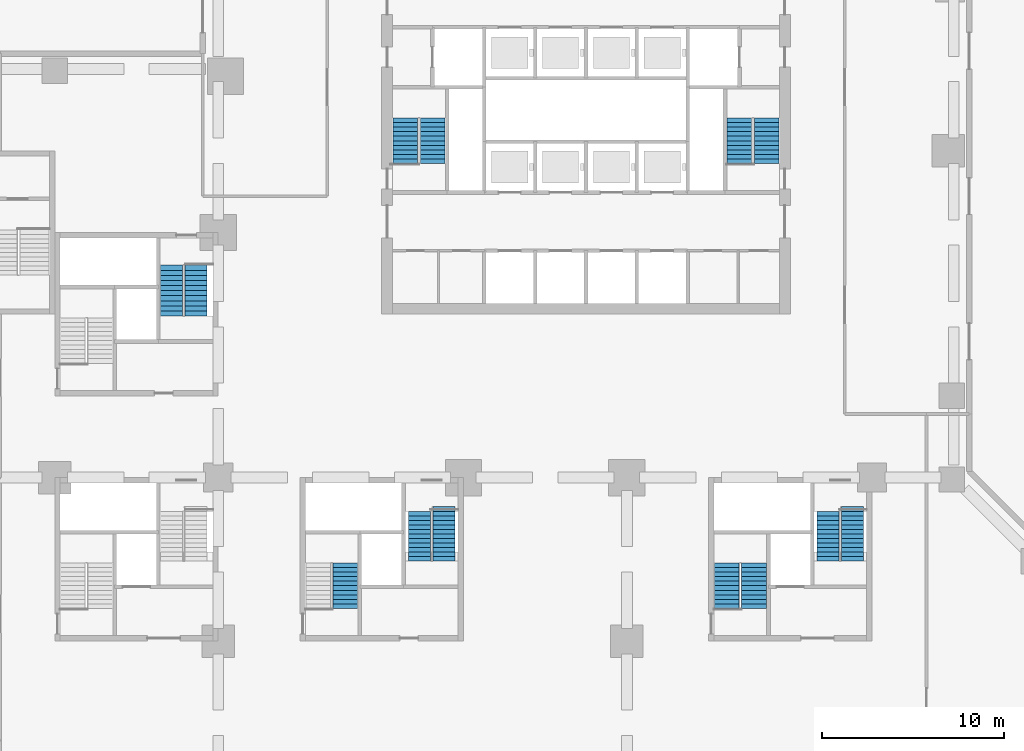
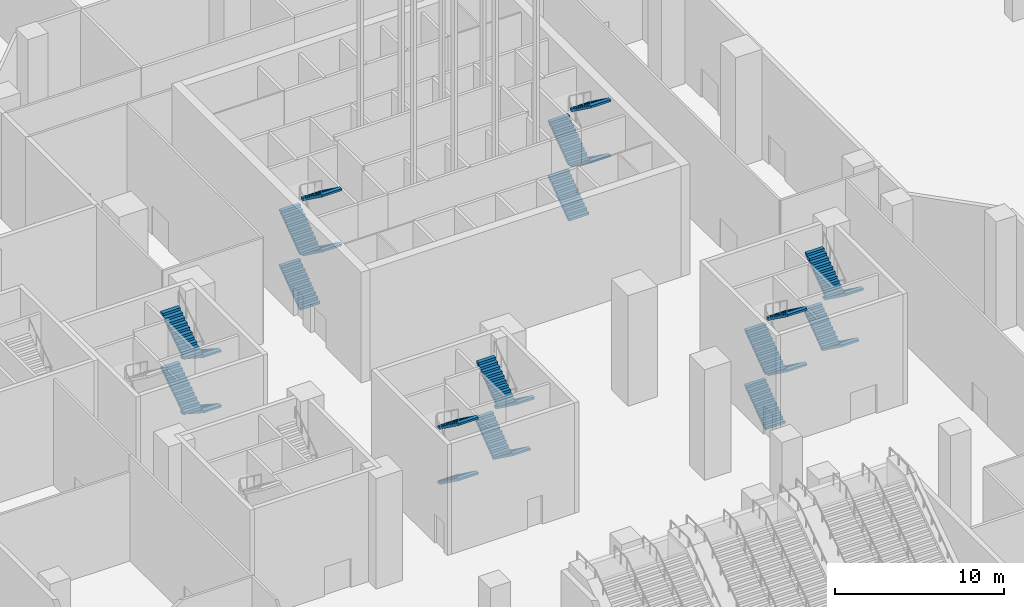
# One storey, part 20 of 32: 26 stair flights, 7 elements without a shape of their own.
"""IFC4 building model written with IfcOpenShell, lengths in metres."""

from ifc_helpers import new_model, si_unit, direction, frame, origin, place, context, subcontext, project, spatial, polyline, outline, extrude, material, type_object, element, aggregate, save


model = new_model("IFC4")

# Units and contexts
model_context = context("Model", 3, precision=1e-05, world=origin(), true_north=direction((0.0, 1.0)))
body_context = subcontext(model_context, "Body", "Model", "MODEL_VIEW")
ifc_project = project(units=[si_unit("LENGTHUNIT", "METRE"), si_unit("AREAUNIT", "SQUARE_METRE"), si_unit("VOLUMEUNIT", "CUBIC_METRE"), si_unit("PLANEANGLEUNIT", "RADIAN"), si_unit("MASSUNIT", "GRAM", prefix="KILO")], contexts=[model_context])

# Site, building, storey
site_placement = place(None, origin())
site = spatial("IfcSite", under=ifc_project, at=site_placement, CompositionType="ELEMENT")
building_placement = place(site_placement, origin())
building = spatial("IfcBuilding", under=site, at=building_placement, Name="Quoin Convention Tower", CompositionType="ELEMENT")
storey_placement = place(building_placement, origin())
storey = spatial("IfcBuildingStorey", under=building, at=storey_placement, Name="L00", CompositionType="ELEMENT", Elevation=0.0)

# Stair, stair flights
ifc_material = material(Name="Concrete C40", Category="concrete")
stair_type_1 = type_object("IfcStairType", Name="Exit stair four-flight 1200", PredefinedType="DOUBLE_RETURN_STAIR", material=ifc_material)
stair_1_placement = place(storey_placement, origin())
stair_1 = element("IfcStair", 1, at=stair_1_placement, inside=storey, type_object=stair_type_1, Name="SD4 L00", PredefinedType="DOUBLE_RETURN_STAIR")
stair_flight_type_1 = type_object("IfcStairFlightType", Name="Stair flight 1200", PredefinedType="STRAIGHT", material=ifc_material)
stair_flight_1_placement = place(storey_placement, frame((34.77490234375, 52.199951171875, 0.0), z_axis=(0.0, 0.0, 1.0), x_axis=(0.0, -1.0, 0.0)))
stair_flight_1 = element("IfcStairFlight", 2, at=stair_flight_1_placement, type_object=stair_flight_type_1, Name="ST4 flight 1", NumberOfRisers=11, NumberOfTreads=10, PredefinedType="STRAIGHT", RiserHeight=0.181818182, TreadLength=0.28, context=body_context, shape_type="SweptSolid", body=[
    extrude(outline(polyline([(0.0, 0.0), (0.0, 0.181884765625), (0.280029296875, 0.181884765625), (0.280029296875, 0.363525390625), (0.56005859375, 0.363525390625), (0.56005859375, 0.54541015625), (0.840087890625, 0.54541015625), (0.840087890625, 0.727294921875), (1.1201171875, 0.727294921875), (1.1201171875, 0.9091796875), (1.39990234375, 0.9091796875), (1.39990234375, 1.0908203125), (1.679931640625, 1.0908203125), (1.679931640625, 1.272705078125), (1.9599609375, 1.272705078125), (1.9599609375, 1.45458984375), (2.239990234375, 1.45458984375), (2.239990234375, 1.636474609375), (2.52001953125, 1.636474609375), (2.52001953125, 1.818115234375), (2.800048828125, 1.818115234375), (2.800048828125, 2.0), (2.800048828125, 1.675048828125), (0.220458984375, 0.0), (0.0, 0.0)])), frame((0.0, 0.60009765625, 0.0), z_axis=(0.0, -1.0, 0.0), x_axis=(1.0, 0.0, 0.0)), (0.0, 0.0, 1.0), 1.199951171875),
])
stair_flight_2_placement = place(storey_placement, frame((33.425048828125, 49.39990234375, 2.0), z_axis=(0.0, 0.0, 1.0), x_axis=(0.0, 1.0, 0.0)))
stair_flight_2 = element("IfcStairFlight", 3, at=stair_flight_2_placement, type_object=stair_flight_type_1, Name="ST4 flight 2", NumberOfRisers=11, NumberOfTreads=10, PredefinedType="STRAIGHT", RiserHeight=0.181818182, TreadLength=0.28, context=body_context, shape_type="SweptSolid", body=[
    extrude(outline(polyline([(0.0, 0.0), (0.0, 0.181884765625), (0.280029296875, 0.181884765625), (0.280029296875, 0.363525390625), (0.56005859375, 0.363525390625), (0.56005859375, 0.54541015625), (0.840087890625, 0.54541015625), (0.840087890625, 0.727294921875), (1.1201171875, 0.727294921875), (1.1201171875, 0.9091796875), (1.39990234375, 0.9091796875), (1.39990234375, 1.0908203125), (1.679931640625, 1.0908203125), (1.679931640625, 1.272705078125), (1.9599609375, 1.272705078125), (1.9599609375, 1.45458984375), (2.239990234375, 1.45458984375), (2.239990234375, 1.636474609375), (2.52001953125, 1.636474609375), (2.52001953125, 1.818115234375), (2.800048828125, 1.818115234375), (2.800048828125, 2.0), (2.800048828125, 1.675048828125), (0.220458984375, 0.0), (0.0, 0.0)])), frame((0.0, 0.60009765625, 0.0), z_axis=(0.0, -1.0, 0.0), x_axis=(1.0, 0.0, 0.0)), (0.0, 0.0, 1.0), 1.199951171875),
])
stair_flight_3_placement = place(storey_placement, frame((34.77490234375, 52.199951171875, 4.0), z_axis=(0.0, 0.0, 1.0), x_axis=(0.0, -1.0, 0.0)))
stair_flight_3 = element("IfcStairFlight", 4, at=stair_flight_3_placement, type_object=stair_flight_type_1, Name="ST4 flight 3", NumberOfRisers=11, NumberOfTreads=10, PredefinedType="STRAIGHT", RiserHeight=0.181818182, TreadLength=0.28, context=body_context, shape_type="SweptSolid", body=[
    extrude(outline(polyline([(0.0, 0.0), (0.0, 0.181884765625), (0.280029296875, 0.181884765625), (0.280029296875, 0.363525390625), (0.56005859375, 0.363525390625), (0.56005859375, 0.54541015625), (0.840087890625, 0.54541015625), (0.840087890625, 0.727294921875), (1.1201171875, 0.727294921875), (1.1201171875, 0.9091796875), (1.39990234375, 0.9091796875), (1.39990234375, 1.0908203125), (1.679931640625, 1.0908203125), (1.679931640625, 1.272705078125), (1.9599609375, 1.272705078125), (1.9599609375, 1.45458984375), (2.239990234375, 1.45458984375), (2.239990234375, 1.636474609375), (2.52001953125, 1.636474609375), (2.52001953125, 1.818115234375), (2.800048828125, 1.818115234375), (2.800048828125, 2.0), (2.800048828125, 1.675048828125), (0.220458984375, 0.0), (0.0, 0.0)])), frame((0.0, 0.60009765625, 0.0), z_axis=(0.0, -1.0, 0.0), x_axis=(1.0, 0.0, 0.0)), (0.0, 0.0, 1.0), 1.199951171875),
])
stair_flight_4_placement = place(storey_placement, frame((33.425048828125, 49.39990234375, 6.0), z_axis=(0.0, 0.0, 1.0), x_axis=(0.0, 1.0, 0.0)))
stair_flight_4 = element("IfcStairFlight", 5, at=stair_flight_4_placement, type_object=stair_flight_type_1, Name="ST4 flight 4", NumberOfRisers=11, NumberOfTreads=10, PredefinedType="STRAIGHT", RiserHeight=0.181818182, TreadLength=0.28, context=body_context, shape_type="SweptSolid", body=[
    extrude(outline(polyline([(0.0, 0.0), (0.0, 0.181884765625), (0.280029296875, 0.181884765625), (0.280029296875, 0.363525390625), (0.56005859375, 0.363525390625), (0.56005859375, 0.54541015625), (0.840087890625, 0.54541015625), (0.840087890625, 0.727294921875), (1.1201171875, 0.727294921875), (1.1201171875, 0.9091796875), (1.39990234375, 0.9091796875), (1.39990234375, 1.0908203125), (1.679931640625, 1.0908203125), (1.679931640625, 1.272705078125), (1.9599609375, 1.272705078125), (1.9599609375, 1.45458984375), (2.239990234375, 1.45458984375), (2.239990234375, 1.636474609375), (2.52001953125, 1.636474609375), (2.52001953125, 1.818115234375), (2.800048828125, 1.818115234375), (2.800048828125, 2.0), (2.800048828125, 1.675048828125), (0.220458984375, 0.0), (0.0, 0.0)])), frame((0.0, 0.60009765625, 0.0), z_axis=(0.0, -1.0, 0.0), x_axis=(1.0, 0.0, 0.0)), (0.0, 0.0, 1.0), 1.199951171875),
])
aggregate(stair_1, [stair_flight_1, stair_flight_2, stair_flight_3, stair_flight_4])

stair_2_placement = place(storey_placement, origin())
stair_2 = element("IfcStair", 6, at=stair_2_placement, inside=storey, type_object=stair_type_1, Name="SD6 L00", PredefinedType="DOUBLE_RETURN_STAIR")
stair_flight_5_placement = place(storey_placement, frame((48.425048828125, 38.89990234375, 0.0), z_axis=(0.0, 0.0, 1.0), x_axis=(0.0, -1.0, 0.0)))
stair_flight_5 = element("IfcStairFlight", 7, at=stair_flight_5_placement, type_object=stair_flight_type_1, Name="ST6 flight 1", NumberOfRisers=11, NumberOfTreads=10, PredefinedType="STRAIGHT", RiserHeight=0.181818182, TreadLength=0.25, context=body_context, shape_type="SweptSolid", body=[
    extrude(outline(polyline([(0.0, 0.0), (0.0, 0.181884765625), (0.25, 0.181884765625), (0.25, 0.363525390625), (0.5, 0.363525390625), (0.5, 0.54541015625), (0.75, 0.54541015625), (0.75, 0.727294921875), (1.0, 0.727294921875), (1.0, 0.9091796875), (1.25, 0.9091796875), (1.25, 1.0908203125), (1.5, 1.0908203125), (1.5, 1.272705078125), (1.75, 1.272705078125), (1.75, 1.45458984375), (2.0, 1.45458984375), (2.0, 1.636474609375), (2.25, 1.636474609375), (2.25, 1.818115234375), (2.5, 1.818115234375), (2.5, 2.0), (2.5, 1.669677734375), (0.2041015625, 0.0), (0.0, 0.0)])), frame((0.0, 0.60009765625, 0.0), z_axis=(0.0, -1.0, 0.0), x_axis=(1.0, 0.0, 0.0)), (0.0, 0.0, 1.0), 1.199951171875),
])
stair_flight_6_placement = place(storey_placement, frame((47.074951171875, 36.39990234375, 2.0), z_axis=(0.0, 0.0, 1.0), x_axis=(0.0, 1.0, 0.0)))
stair_flight_6 = element("IfcStairFlight", 8, at=stair_flight_6_placement, type_object=stair_flight_type_1, Name="ST6 flight 2", NumberOfRisers=10, NumberOfTreads=9, PredefinedType="STRAIGHT", RiserHeight=0.181818182, TreadLength=0.25, context=body_context, shape_type="SweptSolid", body=[
    extrude(outline(polyline([(0.0, 0.0), (0.0, 0.181884765625), (0.25, 0.181884765625), (0.25, 0.363525390625), (0.5, 0.363525390625), (0.5, 0.54541015625), (0.75, 0.54541015625), (0.75, 0.727294921875), (1.0, 0.727294921875), (1.0, 0.9091796875), (1.25, 0.9091796875), (1.25, 1.0908203125), (1.5, 1.0908203125), (1.5, 1.272705078125), (1.75, 1.272705078125), (1.75, 1.45458984375), (2.0, 1.45458984375), (2.0, 1.636474609375), (2.25, 1.636474609375), (2.25, 1.818115234375), (2.25, 1.48779296875), (0.2041015625, 0.0), (0.0, 0.0)])), frame((0.0, 0.60009765625, 0.0), z_axis=(0.0, -1.0, 0.0), x_axis=(1.0, 0.0, 0.0)), (0.0, 0.0, 1.0), 1.199951171875),
])
stair_flight_7_placement = place(storey_placement, frame((48.425048828125, 38.64990234375, 3.818115234375), z_axis=(0.0, 0.0, 1.0), x_axis=(0.0, -1.0, 0.0)))
stair_flight_7 = element("IfcStairFlight", 9, at=stair_flight_7_placement, type_object=stair_flight_type_1, Name="ST6 flight 3", NumberOfRisers=12, NumberOfTreads=11, PredefinedType="STRAIGHT", RiserHeight=0.181818182, TreadLength=0.25, context=body_context, shape_type="SweptSolid", body=[
    extrude(outline(polyline([(0.0, 0.0), (0.0, 0.181884765625), (0.25, 0.181884765625), (0.25, 0.363525390625), (0.5, 0.363525390625), (0.5, 0.54541015625), (0.75, 0.54541015625), (0.75, 0.727294921875), (1.0, 0.727294921875), (1.0, 0.9091796875), (1.25, 0.9091796875), (1.25, 1.0908203125), (1.5, 1.0908203125), (1.5, 1.272705078125), (1.75, 1.272705078125), (1.75, 1.45458984375), (2.0, 1.45458984375), (2.0, 1.636474609375), (2.25, 1.636474609375), (2.25, 1.818115234375), (2.5, 1.818115234375), (2.5, 2.0), (2.75, 2.0), (2.75, 2.181884765625), (2.75, 1.8515625), (0.2041015625, 0.0), (0.0, 0.0)])), frame((0.0, 0.60009765625, 0.0), z_axis=(0.0, -1.0, 0.0), x_axis=(1.0, 0.0, 0.0)), (0.0, 0.0, 1.0), 1.199951171875),
])
stair_flight_8_placement = place(storey_placement, frame((47.074951171875, 35.89990234375, 6.0), z_axis=(0.0, 0.0, 1.0), x_axis=(0.0, 1.0, 0.0)))
stair_flight_8 = element("IfcStairFlight", 10, at=stair_flight_8_placement, type_object=stair_flight_type_1, Name="ST6 flight 4", NumberOfRisers=11, NumberOfTreads=10, PredefinedType="STRAIGHT", RiserHeight=0.181818182, TreadLength=0.25, context=body_context, shape_type="SweptSolid", body=[
    extrude(outline(polyline([(0.0, 0.0), (0.0, 0.181884765625), (0.25, 0.181884765625), (0.25, 0.363525390625), (0.5, 0.363525390625), (0.5, 0.54541015625), (0.75, 0.54541015625), (0.75, 0.727294921875), (1.0, 0.727294921875), (1.0, 0.9091796875), (1.25, 0.9091796875), (1.25, 1.0908203125), (1.5, 1.0908203125), (1.5, 1.272705078125), (1.75, 1.272705078125), (1.75, 1.45458984375), (2.0, 1.45458984375), (2.0, 1.636474609375), (2.25, 1.636474609375), (2.25, 1.818115234375), (2.5, 1.818115234375), (2.5, 2.0), (2.5, 1.669677734375), (0.2041015625, 0.0), (0.0, 0.0)])), frame((0.0, 0.60009765625, 0.0), z_axis=(0.0, -1.0, 0.0), x_axis=(1.0, 0.0, 0.0)), (0.0, 0.0, 1.0), 1.199951171875),
])
aggregate(stair_2, [stair_flight_5, stair_flight_6, stair_flight_7, stair_flight_8])

stair_3_placement = place(storey_placement, origin())
stair_3 = element("IfcStair", 11, at=stair_3_placement, inside=storey, type_object=stair_type_1, Name="SD10 L00", PredefinedType="DOUBLE_RETURN_STAIR")
stair_flight_9_placement = place(storey_placement, frame((70.925048828125, 38.89990234375, 0.0), z_axis=(0.0, 0.0, 1.0), x_axis=(0.0, -1.0, 0.0)))
stair_flight_9 = element("IfcStairFlight", 12, at=stair_flight_9_placement, type_object=stair_flight_type_1, Name="ST10 flight 1", NumberOfRisers=11, NumberOfTreads=10, PredefinedType="STRAIGHT", RiserHeight=0.181818182, TreadLength=0.25, context=body_context, shape_type="SweptSolid", body=[
    extrude(outline(polyline([(0.0, 0.0), (0.0, 0.181884765625), (0.25, 0.181884765625), (0.25, 0.363525390625), (0.5, 0.363525390625), (0.5, 0.54541015625), (0.75, 0.54541015625), (0.75, 0.727294921875), (1.0, 0.727294921875), (1.0, 0.9091796875), (1.25, 0.9091796875), (1.25, 1.0908203125), (1.5, 1.0908203125), (1.5, 1.272705078125), (1.75, 1.272705078125), (1.75, 1.45458984375), (2.0, 1.45458984375), (2.0, 1.636474609375), (2.25, 1.636474609375), (2.25, 1.818115234375), (2.5, 1.818115234375), (2.5, 2.0), (2.5, 1.669677734375), (0.2041015625, 0.0), (0.0, 0.0)])), frame((0.0, 0.60009765625, 0.0), z_axis=(0.0, -1.0, 0.0), x_axis=(1.0, 0.0, 0.0)), (0.0, 0.0, 1.0), 1.199951171875),
])
stair_flight_10_placement = place(storey_placement, frame((69.574951171875, 36.39990234375, 2.0), z_axis=(0.0, 0.0, 1.0), x_axis=(0.0, 1.0, 0.0)))
stair_flight_10 = element("IfcStairFlight", 13, at=stair_flight_10_placement, type_object=stair_flight_type_1, Name="ST10 flight 2", NumberOfRisers=10, NumberOfTreads=9, PredefinedType="STRAIGHT", RiserHeight=0.181818182, TreadLength=0.25, context=body_context, shape_type="SweptSolid", body=[
    extrude(outline(polyline([(0.0, 0.0), (0.0, 0.181884765625), (0.25, 0.181884765625), (0.25, 0.363525390625), (0.5, 0.363525390625), (0.5, 0.54541015625), (0.75, 0.54541015625), (0.75, 0.727294921875), (1.0, 0.727294921875), (1.0, 0.9091796875), (1.25, 0.9091796875), (1.25, 1.0908203125), (1.5, 1.0908203125), (1.5, 1.272705078125), (1.75, 1.272705078125), (1.75, 1.45458984375), (2.0, 1.45458984375), (2.0, 1.636474609375), (2.25, 1.636474609375), (2.25, 1.818115234375), (2.25, 1.48779296875), (0.2041015625, 0.0), (0.0, 0.0)])), frame((0.0, 0.60009765625, 0.0), z_axis=(0.0, -1.0, 0.0), x_axis=(1.0, 0.0, 0.0)), (0.0, 0.0, 1.0), 1.199951171875),
])
stair_flight_11_placement = place(storey_placement, frame((70.925048828125, 38.64990234375, 3.818115234375), z_axis=(0.0, 0.0, 1.0), x_axis=(0.0, -1.0, 0.0)))
stair_flight_11 = element("IfcStairFlight", 14, at=stair_flight_11_placement, type_object=stair_flight_type_1, Name="ST10 flight 3", NumberOfRisers=12, NumberOfTreads=11, PredefinedType="STRAIGHT", RiserHeight=0.181818182, TreadLength=0.25, context=body_context, shape_type="SweptSolid", body=[
    extrude(outline(polyline([(0.0, 0.0), (0.0, 0.181884765625), (0.25, 0.181884765625), (0.25, 0.363525390625), (0.5, 0.363525390625), (0.5, 0.54541015625), (0.75, 0.54541015625), (0.75, 0.727294921875), (1.0, 0.727294921875), (1.0, 0.9091796875), (1.25, 0.9091796875), (1.25, 1.0908203125), (1.5, 1.0908203125), (1.5, 1.272705078125), (1.75, 1.272705078125), (1.75, 1.45458984375), (2.0, 1.45458984375), (2.0, 1.636474609375), (2.25, 1.636474609375), (2.25, 1.818115234375), (2.5, 1.818115234375), (2.5, 2.0), (2.75, 2.0), (2.75, 2.181884765625), (2.75, 1.8515625), (0.2041015625, 0.0), (0.0, 0.0)])), frame((0.0, 0.60009765625, 0.0), z_axis=(0.0, -1.0, 0.0), x_axis=(1.0, 0.0, 0.0)), (0.0, 0.0, 1.0), 1.199951171875),
])
stair_flight_12_placement = place(storey_placement, frame((69.574951171875, 35.89990234375, 6.0), z_axis=(0.0, 0.0, 1.0), x_axis=(0.0, 1.0, 0.0)))
stair_flight_12 = element("IfcStairFlight", 15, at=stair_flight_12_placement, type_object=stair_flight_type_1, Name="ST10 flight 4", NumberOfRisers=11, NumberOfTreads=10, PredefinedType="STRAIGHT", RiserHeight=0.181818182, TreadLength=0.25, context=body_context, shape_type="SweptSolid", body=[
    extrude(outline(polyline([(0.0, 0.0), (0.0, 0.181884765625), (0.25, 0.181884765625), (0.25, 0.363525390625), (0.5, 0.363525390625), (0.5, 0.54541015625), (0.75, 0.54541015625), (0.75, 0.727294921875), (1.0, 0.727294921875), (1.0, 0.9091796875), (1.25, 0.9091796875), (1.25, 1.0908203125), (1.5, 1.0908203125), (1.5, 1.272705078125), (1.75, 1.272705078125), (1.75, 1.45458984375), (2.0, 1.45458984375), (2.0, 1.636474609375), (2.25, 1.636474609375), (2.25, 1.818115234375), (2.5, 1.818115234375), (2.5, 2.0), (2.5, 1.669677734375), (0.2041015625, 0.0), (0.0, 0.0)])), frame((0.0, 0.60009765625, 0.0), z_axis=(0.0, -1.0, 0.0), x_axis=(1.0, 0.0, 0.0)), (0.0, 0.0, 1.0), 1.199951171875),
])
aggregate(stair_3, [stair_flight_9, stair_flight_10, stair_flight_11, stair_flight_12])

stair_type_2 = type_object("IfcStairType", Name="Exit stair four-flight 1350", PredefinedType="DOUBLE_RETURN_STAIR", material=ifc_material)
stair_4_placement = place(storey_placement, origin())
stair_4 = element("IfcStair", 16, at=stair_4_placement, inside=storey, type_object=stair_type_2, Name="SD1 L00", PredefinedType="DOUBLE_RETURN_STAIR")
stair_flight_type_2 = type_object("IfcStairFlightType", Name="Stair flight 1350", PredefinedType="STRAIGHT", material=ifc_material)
stair_flight_13_placement = place(storey_placement, frame((46.300048828125, 57.800048828125, 0.0), z_axis=(0.0, 0.0, 1.0), x_axis=(0.0, 1.0, 0.0)))
stair_flight_13 = element("IfcStairFlight", 17, at=stair_flight_13_placement, type_object=stair_flight_type_2, Name="ST1 flight 1", NumberOfRisers=11, NumberOfTreads=10, PredefinedType="STRAIGHT", RiserHeight=0.181818182, TreadLength=0.25, context=body_context, shape_type="SweptSolid", body=[
    extrude(outline(polyline([(0.0, 0.0), (0.0, 0.181884765625), (0.25, 0.181884765625), (0.25, 0.363525390625), (0.5, 0.363525390625), (0.5, 0.54541015625), (0.75, 0.54541015625), (0.75, 0.727294921875), (1.0, 0.727294921875), (1.0, 0.9091796875), (1.25, 0.9091796875), (1.25, 1.0908203125), (1.5, 1.0908203125), (1.5, 1.272705078125), (1.75, 1.272705078125), (1.75, 1.45458984375), (2.0, 1.45458984375), (2.0, 1.636474609375), (2.25, 1.636474609375), (2.25, 1.818115234375), (2.5, 1.818115234375), (2.5, 2.0), (2.5, 1.669677734375), (0.2041015625, 0.0), (0.0, 0.0)])), frame((0.0, 0.675048828125, 0.0), z_axis=(0.0, -1.0, 0.0), x_axis=(1.0, 0.0, 0.0)), (0.0, 0.0, 1.0), 1.35009765625),
])
stair_flight_14_placement = place(storey_placement, frame((47.800048828125, 60.300048828125, 2.0), z_axis=(0.0, 0.0, 1.0), x_axis=(0.0, -1.0, 0.0)))
stair_flight_14 = element("IfcStairFlight", 18, at=stair_flight_14_placement, type_object=stair_flight_type_2, Name="ST1 flight 2", NumberOfRisers=11, NumberOfTreads=10, PredefinedType="STRAIGHT", RiserHeight=0.181818182, TreadLength=0.25, context=body_context, shape_type="SweptSolid", body=[
    extrude(outline(polyline([(0.0, 0.0), (0.0, 0.181884765625), (0.25, 0.181884765625), (0.25, 0.363525390625), (0.5, 0.363525390625), (0.5, 0.54541015625), (0.75, 0.54541015625), (0.75, 0.727294921875), (1.0, 0.727294921875), (1.0, 0.9091796875), (1.25, 0.9091796875), (1.25, 1.0908203125), (1.5, 1.0908203125), (1.5, 1.272705078125), (1.75, 1.272705078125), (1.75, 1.45458984375), (2.0, 1.45458984375), (2.0, 1.636474609375), (2.25, 1.636474609375), (2.25, 1.818115234375), (2.5, 1.818115234375), (2.5, 2.0), (2.5, 1.669677734375), (0.2041015625, 0.0), (0.0, 0.0)])), frame((0.0, 0.675048828125, 0.0), z_axis=(0.0, -1.0, 0.0), x_axis=(1.0, 0.0, 0.0)), (0.0, 0.0, 1.0), 1.35009765625),
])
stair_flight_15_placement = place(storey_placement, frame((46.300048828125, 57.800048828125, 4.0), z_axis=(0.0, 0.0, 1.0), x_axis=(0.0, 1.0, 0.0)))
stair_flight_15 = element("IfcStairFlight", 19, at=stair_flight_15_placement, type_object=stair_flight_type_2, Name="ST1 flight 3", NumberOfRisers=11, NumberOfTreads=10, PredefinedType="STRAIGHT", RiserHeight=0.181818182, TreadLength=0.25, context=body_context, shape_type="SweptSolid", body=[
    extrude(outline(polyline([(0.0, 0.0), (0.0, 0.181884765625), (0.25, 0.181884765625), (0.25, 0.363525390625), (0.5, 0.363525390625), (0.5, 0.54541015625), (0.75, 0.54541015625), (0.75, 0.727294921875), (1.0, 0.727294921875), (1.0, 0.9091796875), (1.25, 0.9091796875), (1.25, 1.0908203125), (1.5, 1.0908203125), (1.5, 1.272705078125), (1.75, 1.272705078125), (1.75, 1.45458984375), (2.0, 1.45458984375), (2.0, 1.636474609375), (2.25, 1.636474609375), (2.25, 1.818115234375), (2.5, 1.818115234375), (2.5, 2.0), (2.5, 1.669677734375), (0.2041015625, 0.0), (0.0, 0.0)])), frame((0.0, 0.675048828125, 0.0), z_axis=(0.0, -1.0, 0.0), x_axis=(1.0, 0.0, 0.0)), (0.0, 0.0, 1.0), 1.35009765625),
])
stair_flight_16_placement = place(storey_placement, frame((47.800048828125, 60.300048828125, 6.0), z_axis=(0.0, 0.0, 1.0), x_axis=(0.0, -1.0, 0.0)))
stair_flight_16 = element("IfcStairFlight", 20, at=stair_flight_16_placement, type_object=stair_flight_type_2, Name="ST1 flight 4", NumberOfRisers=11, NumberOfTreads=10, PredefinedType="STRAIGHT", RiserHeight=0.181818182, TreadLength=0.25, context=body_context, shape_type="SweptSolid", body=[
    extrude(outline(polyline([(0.0, 0.0), (0.0, 0.181884765625), (0.25, 0.181884765625), (0.25, 0.363525390625), (0.5, 0.363525390625), (0.5, 0.54541015625), (0.75, 0.54541015625), (0.75, 0.727294921875), (1.0, 0.727294921875), (1.0, 0.9091796875), (1.25, 0.9091796875), (1.25, 1.0908203125), (1.5, 1.0908203125), (1.5, 1.272705078125), (1.75, 1.272705078125), (1.75, 1.45458984375), (2.0, 1.45458984375), (2.0, 1.636474609375), (2.25, 1.636474609375), (2.25, 1.818115234375), (2.5, 1.818115234375), (2.5, 2.0), (2.5, 1.669677734375), (0.2041015625, 0.0), (0.0, 0.0)])), frame((0.0, 0.675048828125, 0.0), z_axis=(0.0, -1.0, 0.0), x_axis=(1.0, 0.0, 0.0)), (0.0, 0.0, 1.0), 1.35009765625),
])
aggregate(stair_4, [stair_flight_13, stair_flight_14, stair_flight_15, stair_flight_16])

stair_5_placement = place(storey_placement, origin())
stair_5 = element("IfcStair", 21, at=stair_5_placement, inside=storey, type_object=stair_type_2, Name="SD2 L00", PredefinedType="DOUBLE_RETURN_STAIR")
stair_flight_17_placement = place(storey_placement, frame((64.699951171875, 57.800048828125, 0.0), z_axis=(0.0, 0.0, 1.0), x_axis=(0.0, 1.0, 0.0)))
stair_flight_17 = element("IfcStairFlight", 22, at=stair_flight_17_placement, type_object=stair_flight_type_2, Name="ST2 flight 1", NumberOfRisers=11, NumberOfTreads=10, PredefinedType="STRAIGHT", RiserHeight=0.181818182, TreadLength=0.25, context=body_context, shape_type="SweptSolid", body=[
    extrude(outline(polyline([(0.0, 0.0), (0.0, 0.181884765625), (0.25, 0.181884765625), (0.25, 0.363525390625), (0.5, 0.363525390625), (0.5, 0.54541015625), (0.75, 0.54541015625), (0.75, 0.727294921875), (1.0, 0.727294921875), (1.0, 0.9091796875), (1.25, 0.9091796875), (1.25, 1.0908203125), (1.5, 1.0908203125), (1.5, 1.272705078125), (1.75, 1.272705078125), (1.75, 1.45458984375), (2.0, 1.45458984375), (2.0, 1.636474609375), (2.25, 1.636474609375), (2.25, 1.818115234375), (2.5, 1.818115234375), (2.5, 2.0), (2.5, 1.669677734375), (0.2041015625, 0.0), (0.0, 0.0)])), frame((0.0, 0.675048828125, 0.0), z_axis=(0.0, -1.0, 0.0), x_axis=(1.0, 0.0, 0.0)), (0.0, 0.0, 1.0), 1.35009765625),
])
stair_flight_18_placement = place(storey_placement, frame((66.199951171875, 60.300048828125, 2.0), z_axis=(0.0, 0.0, 1.0), x_axis=(0.0, -1.0, 0.0)))
stair_flight_18 = element("IfcStairFlight", 23, at=stair_flight_18_placement, type_object=stair_flight_type_2, Name="ST2 flight 2", NumberOfRisers=11, NumberOfTreads=10, PredefinedType="STRAIGHT", RiserHeight=0.181818182, TreadLength=0.25, context=body_context, shape_type="SweptSolid", body=[
    extrude(outline(polyline([(0.0, 0.0), (0.0, 0.181884765625), (0.25, 0.181884765625), (0.25, 0.363525390625), (0.5, 0.363525390625), (0.5, 0.54541015625), (0.75, 0.54541015625), (0.75, 0.727294921875), (1.0, 0.727294921875), (1.0, 0.9091796875), (1.25, 0.9091796875), (1.25, 1.0908203125), (1.5, 1.0908203125), (1.5, 1.272705078125), (1.75, 1.272705078125), (1.75, 1.45458984375), (2.0, 1.45458984375), (2.0, 1.636474609375), (2.25, 1.636474609375), (2.25, 1.818115234375), (2.5, 1.818115234375), (2.5, 2.0), (2.5, 1.669677734375), (0.2041015625, 0.0), (0.0, 0.0)])), frame((0.0, 0.675048828125, 0.0), z_axis=(0.0, -1.0, 0.0), x_axis=(1.0, 0.0, 0.0)), (0.0, 0.0, 1.0), 1.35009765625),
])
stair_flight_19_placement = place(storey_placement, frame((64.699951171875, 57.800048828125, 4.0), z_axis=(0.0, 0.0, 1.0), x_axis=(0.0, 1.0, 0.0)))
stair_flight_19 = element("IfcStairFlight", 24, at=stair_flight_19_placement, type_object=stair_flight_type_2, Name="ST2 flight 3", NumberOfRisers=11, NumberOfTreads=10, PredefinedType="STRAIGHT", RiserHeight=0.181818182, TreadLength=0.25, context=body_context, shape_type="SweptSolid", body=[
    extrude(outline(polyline([(0.0, 0.0), (0.0, 0.181884765625), (0.25, 0.181884765625), (0.25, 0.363525390625), (0.5, 0.363525390625), (0.5, 0.54541015625), (0.75, 0.54541015625), (0.75, 0.727294921875), (1.0, 0.727294921875), (1.0, 0.9091796875), (1.25, 0.9091796875), (1.25, 1.0908203125), (1.5, 1.0908203125), (1.5, 1.272705078125), (1.75, 1.272705078125), (1.75, 1.45458984375), (2.0, 1.45458984375), (2.0, 1.636474609375), (2.25, 1.636474609375), (2.25, 1.818115234375), (2.5, 1.818115234375), (2.5, 2.0), (2.5, 1.669677734375), (0.2041015625, 0.0), (0.0, 0.0)])), frame((0.0, 0.675048828125, 0.0), z_axis=(0.0, -1.0, 0.0), x_axis=(1.0, 0.0, 0.0)), (0.0, 0.0, 1.0), 1.35009765625),
])
stair_flight_20_placement = place(storey_placement, frame((66.199951171875, 60.300048828125, 6.0), z_axis=(0.0, 0.0, 1.0), x_axis=(0.0, -1.0, 0.0)))
stair_flight_20 = element("IfcStairFlight", 25, at=stair_flight_20_placement, type_object=stair_flight_type_2, Name="ST2 flight 4", NumberOfRisers=11, NumberOfTreads=10, PredefinedType="STRAIGHT", RiserHeight=0.181818182, TreadLength=0.25, context=body_context, shape_type="SweptSolid", body=[
    extrude(outline(polyline([(0.0, 0.0), (0.0, 0.181884765625), (0.25, 0.181884765625), (0.25, 0.363525390625), (0.5, 0.363525390625), (0.5, 0.54541015625), (0.75, 0.54541015625), (0.75, 0.727294921875), (1.0, 0.727294921875), (1.0, 0.9091796875), (1.25, 0.9091796875), (1.25, 1.0908203125), (1.5, 1.0908203125), (1.5, 1.272705078125), (1.75, 1.272705078125), (1.75, 1.45458984375), (2.0, 1.45458984375), (2.0, 1.636474609375), (2.25, 1.636474609375), (2.25, 1.818115234375), (2.5, 1.818115234375), (2.5, 2.0), (2.5, 1.669677734375), (0.2041015625, 0.0), (0.0, 0.0)])), frame((0.0, 0.675048828125, 0.0), z_axis=(0.0, -1.0, 0.0), x_axis=(1.0, 0.0, 0.0)), (0.0, 0.0, 1.0), 1.35009765625),
])
aggregate(stair_5, [stair_flight_17, stair_flight_18, stair_flight_19, stair_flight_20])

stair_6_placement = place(storey_placement, origin())
stair_6 = element("IfcStair", 26, at=stair_6_placement, inside=storey, type_object=stair_type_2, Name="SD5 L00", PredefinedType="DOUBLE_RETURN_STAIR")
stair_flight_21_placement = place(storey_placement, frame((43.0, 35.800048828125, 2.0), z_axis=(0.0, 0.0, 1.0), x_axis=(0.0, -1.0, 0.0)))
stair_flight_21 = element("IfcStairFlight", 27, at=stair_flight_21_placement, type_object=stair_flight_type_2, Name="ST5 flight 2", NumberOfRisers=11, NumberOfTreads=10, PredefinedType="STRAIGHT", RiserHeight=0.181818182, TreadLength=0.25, context=body_context, shape_type="SweptSolid", body=[
    extrude(outline(polyline([(0.0, 0.0), (0.0, 0.181884765625), (0.25, 0.181884765625), (0.25, 0.363525390625), (0.5, 0.363525390625), (0.5, 0.54541015625), (0.75, 0.54541015625), (0.75, 0.727294921875), (1.0, 0.727294921875), (1.0, 0.9091796875), (1.25, 0.9091796875), (1.25, 1.0908203125), (1.5, 1.0908203125), (1.5, 1.272705078125), (1.75, 1.272705078125), (1.75, 1.45458984375), (2.0, 1.45458984375), (2.0, 1.636474609375), (2.25, 1.636474609375), (2.25, 1.818115234375), (2.5, 1.818115234375), (2.5, 2.0), (2.5, 1.669677734375), (0.2041015625, 0.0), (0.0, 0.0)])), frame((0.0, 0.675048828125, 0.0), z_axis=(0.0, -1.0, 0.0), x_axis=(1.0, 0.0, 0.0)), (0.0, 0.0, 1.0), 1.35009765625),
])
stair_flight_22_placement = place(storey_placement, frame((43.0, 35.800048828125, 6.0), z_axis=(0.0, 0.0, 1.0), x_axis=(0.0, -1.0, 0.0)))
stair_flight_22 = element("IfcStairFlight", 28, at=stair_flight_22_placement, type_object=stair_flight_type_2, Name="ST5 flight 4", NumberOfRisers=11, NumberOfTreads=10, PredefinedType="STRAIGHT", RiserHeight=0.181818182, TreadLength=0.25, context=body_context, shape_type="SweptSolid", body=[
    extrude(outline(polyline([(0.0, 0.0), (0.0, 0.181884765625), (0.25, 0.181884765625), (0.25, 0.363525390625), (0.5, 0.363525390625), (0.5, 0.54541015625), (0.75, 0.54541015625), (0.75, 0.727294921875), (1.0, 0.727294921875), (1.0, 0.9091796875), (1.25, 0.9091796875), (1.25, 1.0908203125), (1.5, 1.0908203125), (1.5, 1.272705078125), (1.75, 1.272705078125), (1.75, 1.45458984375), (2.0, 1.45458984375), (2.0, 1.636474609375), (2.25, 1.636474609375), (2.25, 1.818115234375), (2.5, 1.818115234375), (2.5, 2.0), (2.5, 1.669677734375), (0.2041015625, 0.0), (0.0, 0.0)])), frame((0.0, 0.675048828125, 0.0), z_axis=(0.0, -1.0, 0.0), x_axis=(1.0, 0.0, 0.0)), (0.0, 0.0, 1.0), 1.35009765625),
])
aggregate(stair_6, [stair_flight_21, stair_flight_22])

stair_7_placement = place(storey_placement, origin())
stair_7 = element("IfcStair", 29, at=stair_7_placement, inside=storey, type_object=stair_type_2, Name="SD9 L00", PredefinedType="DOUBLE_RETURN_STAIR")
stair_flight_23_placement = place(storey_placement, frame((64.0, 33.300048828125, 0.0), z_axis=(0.0, 0.0, 1.0), x_axis=(0.0, 1.0, 0.0)))
stair_flight_23 = element("IfcStairFlight", 30, at=stair_flight_23_placement, type_object=stair_flight_type_2, Name="ST9 flight 1", NumberOfRisers=11, NumberOfTreads=10, PredefinedType="STRAIGHT", RiserHeight=0.181818182, TreadLength=0.25, context=body_context, shape_type="SweptSolid", body=[
    extrude(outline(polyline([(0.0, 0.0), (0.0, 0.181884765625), (0.25, 0.181884765625), (0.25, 0.363525390625), (0.5, 0.363525390625), (0.5, 0.54541015625), (0.75, 0.54541015625), (0.75, 0.727294921875), (1.0, 0.727294921875), (1.0, 0.9091796875), (1.25, 0.9091796875), (1.25, 1.0908203125), (1.5, 1.0908203125), (1.5, 1.272705078125), (1.75, 1.272705078125), (1.75, 1.45458984375), (2.0, 1.45458984375), (2.0, 1.636474609375), (2.25, 1.636474609375), (2.25, 1.818115234375), (2.5, 1.818115234375), (2.5, 2.0), (2.5, 1.669677734375), (0.2041015625, 0.0), (0.0, 0.0)])), frame((0.0, 0.675048828125, 0.0), z_axis=(0.0, -1.0, 0.0), x_axis=(1.0, 0.0, 0.0)), (0.0, 0.0, 1.0), 1.35009765625),
])
stair_flight_24_placement = place(storey_placement, frame((65.5, 35.800048828125, 2.0), z_axis=(0.0, 0.0, 1.0), x_axis=(0.0, -1.0, 0.0)))
stair_flight_24 = element("IfcStairFlight", 31, at=stair_flight_24_placement, type_object=stair_flight_type_2, Name="ST9 flight 2", NumberOfRisers=11, NumberOfTreads=10, PredefinedType="STRAIGHT", RiserHeight=0.181818182, TreadLength=0.25, context=body_context, shape_type="SweptSolid", body=[
    extrude(outline(polyline([(0.0, 0.0), (0.0, 0.181884765625), (0.25, 0.181884765625), (0.25, 0.363525390625), (0.5, 0.363525390625), (0.5, 0.54541015625), (0.75, 0.54541015625), (0.75, 0.727294921875), (1.0, 0.727294921875), (1.0, 0.9091796875), (1.25, 0.9091796875), (1.25, 1.0908203125), (1.5, 1.0908203125), (1.5, 1.272705078125), (1.75, 1.272705078125), (1.75, 1.45458984375), (2.0, 1.45458984375), (2.0, 1.636474609375), (2.25, 1.636474609375), (2.25, 1.818115234375), (2.5, 1.818115234375), (2.5, 2.0), (2.5, 1.669677734375), (0.2041015625, 0.0), (0.0, 0.0)])), frame((0.0, 0.675048828125, 0.0), z_axis=(0.0, -1.0, 0.0), x_axis=(1.0, 0.0, 0.0)), (0.0, 0.0, 1.0), 1.35009765625),
])
stair_flight_25_placement = place(storey_placement, frame((64.0, 33.300048828125, 4.0), z_axis=(0.0, 0.0, 1.0), x_axis=(0.0, 1.0, 0.0)))
stair_flight_25 = element("IfcStairFlight", 32, at=stair_flight_25_placement, type_object=stair_flight_type_2, Name="ST9 flight 3", NumberOfRisers=11, NumberOfTreads=10, PredefinedType="STRAIGHT", RiserHeight=0.181818182, TreadLength=0.25, context=body_context, shape_type="SweptSolid", body=[
    extrude(outline(polyline([(0.0, 0.0), (0.0, 0.181884765625), (0.25, 0.181884765625), (0.25, 0.363525390625), (0.5, 0.363525390625), (0.5, 0.54541015625), (0.75, 0.54541015625), (0.75, 0.727294921875), (1.0, 0.727294921875), (1.0, 0.9091796875), (1.25, 0.9091796875), (1.25, 1.0908203125), (1.5, 1.0908203125), (1.5, 1.272705078125), (1.75, 1.272705078125), (1.75, 1.45458984375), (2.0, 1.45458984375), (2.0, 1.636474609375), (2.25, 1.636474609375), (2.25, 1.818115234375), (2.5, 1.818115234375), (2.5, 2.0), (2.5, 1.669677734375), (0.2041015625, 0.0), (0.0, 0.0)])), frame((0.0, 0.675048828125, 0.0), z_axis=(0.0, -1.0, 0.0), x_axis=(1.0, 0.0, 0.0)), (0.0, 0.0, 1.0), 1.35009765625),
])
stair_flight_26_placement = place(storey_placement, frame((65.5, 35.800048828125, 6.0), z_axis=(0.0, 0.0, 1.0), x_axis=(0.0, -1.0, 0.0)))
stair_flight_26 = element("IfcStairFlight", 33, at=stair_flight_26_placement, type_object=stair_flight_type_2, Name="ST9 flight 4", NumberOfRisers=11, NumberOfTreads=10, PredefinedType="STRAIGHT", RiserHeight=0.181818182, TreadLength=0.25, context=body_context, shape_type="SweptSolid", body=[
    extrude(outline(polyline([(0.0, 0.0), (0.0, 0.181884765625), (0.25, 0.181884765625), (0.25, 0.363525390625), (0.5, 0.363525390625), (0.5, 0.54541015625), (0.75, 0.54541015625), (0.75, 0.727294921875), (1.0, 0.727294921875), (1.0, 0.9091796875), (1.25, 0.9091796875), (1.25, 1.0908203125), (1.5, 1.0908203125), (1.5, 1.272705078125), (1.75, 1.272705078125), (1.75, 1.45458984375), (2.0, 1.45458984375), (2.0, 1.636474609375), (2.25, 1.636474609375), (2.25, 1.818115234375), (2.5, 1.818115234375), (2.5, 2.0), (2.5, 1.669677734375), (0.2041015625, 0.0), (0.0, 0.0)])), frame((0.0, 0.675048828125, 0.0), z_axis=(0.0, -1.0, 0.0), x_axis=(1.0, 0.0, 0.0)), (0.0, 0.0, 1.0), 1.35009765625),
])
aggregate(stair_7, [stair_flight_23, stair_flight_24, stair_flight_25, stair_flight_26])

save(model, "model.ifc")
